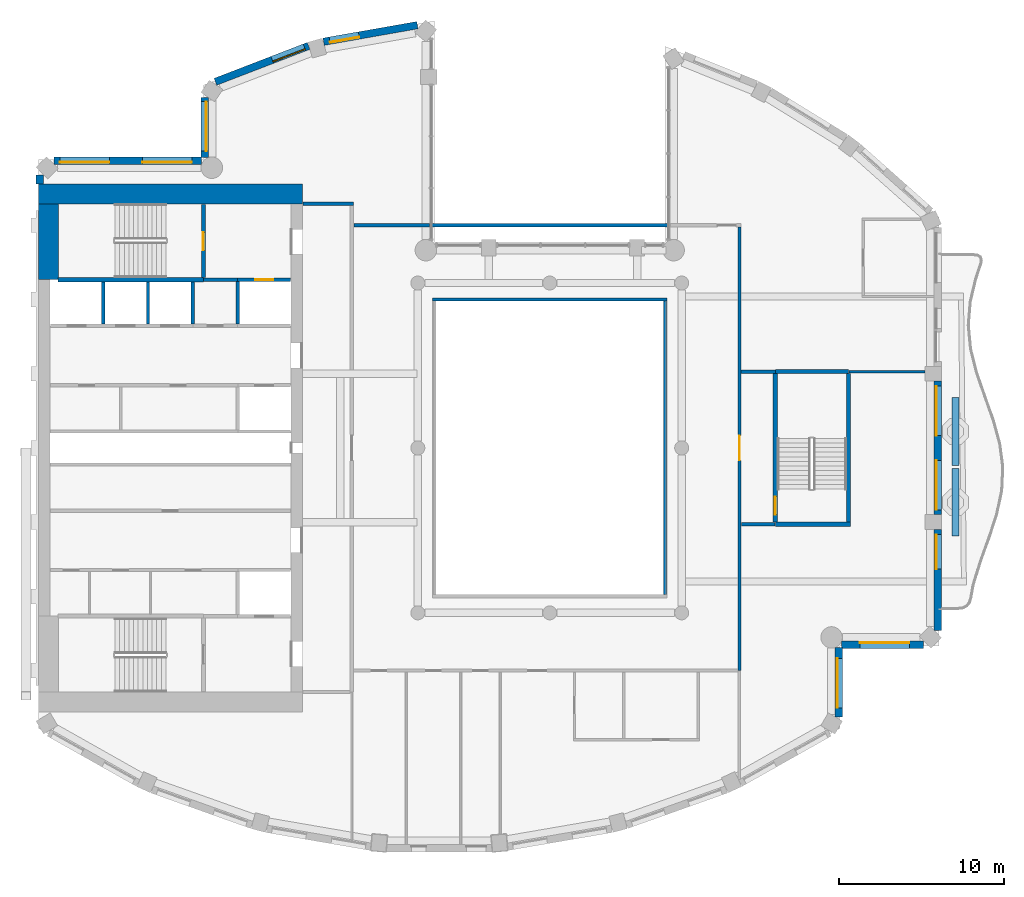
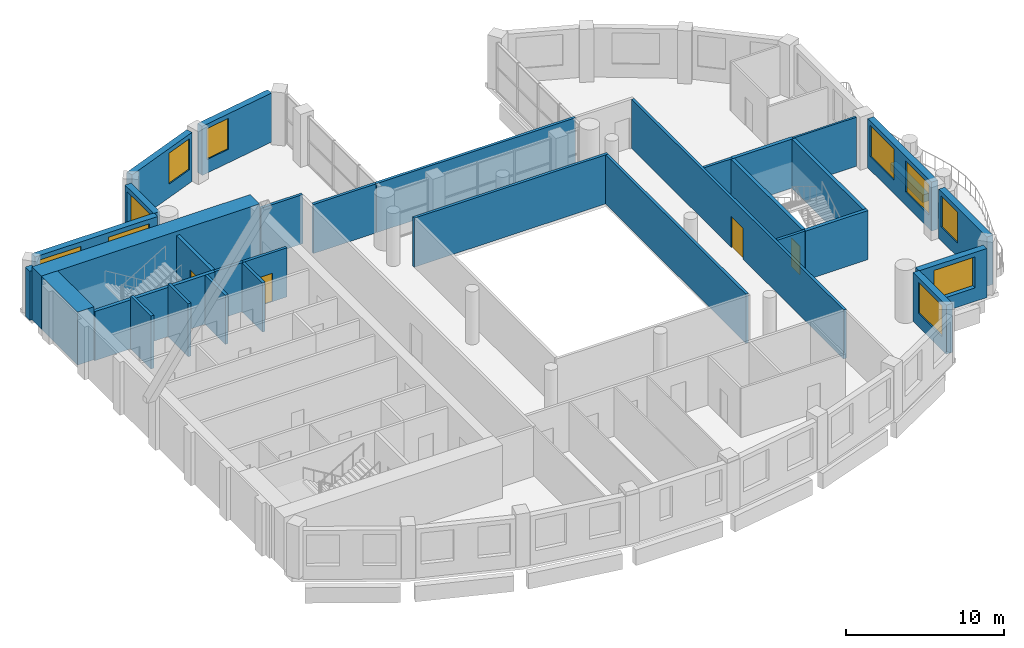
# One storey, part 6 of 15: 34 walls, 10 windows, 4 doors, 14 openings.
"""IFC4 building model written with IfcOpenShell, lengths in metres."""

import ifcopenshell
import ifcopenshell.guid

model = None  # the IFC model being written
_history = None  # IfcOwnerHistory: only IFC2X3 demands one
_inside = {}  # id of a spatial element -> (the spatial element, [elements in it])
_under = {}  # id of a project, library or spatial element -> (it, [spatial elements below it])
_declared = {}  # id of a project -> (the project, [libraries it declares])
_typed = {}  # id of a type object -> (the type object, [elements of that type])
_made_of = {}  # id of a material, layer set ... -> (it, [elements and type objects made of it])


def new_model(schema):
    """Start an empty IFC model of exactly this schema.

    Asked for "IFC4X3", IfcOpenShell would pick the latest addendum, in which some entities
    have other attributes; the version numbers below select the first issue.
    IFC2X3 requires an IfcOwnerHistory on every rooted entity: one is made here for all.
    """
    global model, _history
    if schema == "IFC4X3":
        model = ifcopenshell.file(schema_version=(4, 3, 0, 0))
    else:
        model = ifcopenshell.file(schema=schema)
    _inside.clear()
    _under.clear()
    _declared.clear()
    _typed.clear()
    _made_of.clear()
    _history = None
    if model.schema == "IFC2X3":
        org = make("IfcOrganization", Name="unknown")
        user = make(
            "IfcPersonAndOrganization",
            ThePerson=make("IfcPerson", FamilyName="unknown"),
            TheOrganization=org,
        )
        app = make(
            "IfcApplication",
            ApplicationDeveloper=org,
            Version="unknown",
            ApplicationFullName="unknown",
            ApplicationIdentifier="unknown",
        )
        _history = make(
            "IfcOwnerHistory",
            OwningUser=user,
            OwningApplication=app,
            ChangeAction="ADDED",
            CreationDate=0,
        )
    return model


def make(cls, **values):
    """One entity of the class cls with the attributes given. An attribute that is None is left unset."""
    return model.create_entity(
        cls, **{name: value for name, value in values.items() if value is not None}
    )


def rooted(cls, **values):
    """An entity with a GlobalId (a new one), such as an element, a storey or a relation."""
    return make(cls, GlobalId=ifcopenshell.guid.new(), OwnerHistory=_history, **values)


def si_unit(unit_type, name, prefix=None):
    """IfcSIUnit, for example si_unit("LENGTHUNIT", "METRE", prefix="MILLI")."""
    return make("IfcSIUnit", UnitType=unit_type, Prefix=prefix, Name=name)


def assignment(units):
    """IfcUnitAssignment: the units of a project."""
    return None if units is None else make("IfcUnitAssignment", Units=units)


def point(xyz):
    """IfcCartesianPoint."""
    return None if xyz is None else make("IfcCartesianPoint", Coordinates=xyz)


def direction(xyz):
    """IfcDirection."""
    return None if xyz is None else make("IfcDirection", DirectionRatios=xyz)


def frame(location, z_axis=None, x_axis=None):
    """IfcAxis2Placement3D, a coordinate frame: its origin and axes. An axis left out is left unset."""
    return make(
        "IfcAxis2Placement3D",
        Location=point(location),
        Axis=direction(z_axis),
        RefDirection=direction(x_axis),
    )


def frame_2d(location, x_axis=None):
    """IfcAxis2Placement2D, a coordinate frame in the plane: its origin and x axis."""
    return make(
        "IfcAxis2Placement2D", Location=point(location), RefDirection=direction(x_axis)
    )


def origin():
    """The frame at (0, 0, 0) with its axes left unset."""
    return frame((0.0, 0.0, 0.0))


def place(relative_to, where):
    """IfcLocalPlacement: puts the frame where relative to a parent placement (None: the world)."""
    return make(
        "IfcLocalPlacement", PlacementRelTo=relative_to, RelativePlacement=where
    )


def context(
    kind, dimensions, precision=None, world=None, true_north=None, identifier=None
):
    """IfcGeometricRepresentationContext, for example the 3D "Model" context."""
    return make(
        "IfcGeometricRepresentationContext",
        ContextIdentifier=identifier,
        ContextType=kind,
        CoordinateSpaceDimension=dimensions,
        Precision=precision,
        WorldCoordinateSystem=world,
        TrueNorth=true_north,
    )


def subcontext(parent, identifier, kind, view, scale=None):
    """IfcGeometricRepresentationSubContext, for example "Body" below "Model"."""
    return make(
        "IfcGeometricRepresentationSubContext",
        ContextIdentifier=identifier,
        ContextType=kind,
        ParentContext=parent,
        TargetScale=scale,
        TargetView=view,
    )


def project(units=None, contexts=None):
    """IfcProject with its units and contexts."""
    return rooted(
        "IfcProject",
        Name="project",
        RepresentationContexts=contexts,
        UnitsInContext=assignment(units),
    )


def spatial(cls, under=None, at=None, **own):
    """A site, building, storey or space (cls), placed at a placement, below another one or the project."""
    s = rooted(cls, ObjectPlacement=at, **own)
    if under is not None:
        _under.setdefault(under.id(), (under, []))[1].append(s)
    return s


def profile(cls, at=None, kind="AREA", **sizes):
    """A parametric profile (cls). Its sizes go by their IFC names, for example OverallWidth=200.0."""
    return make(cls, ProfileType=kind, Position=at, **sizes)


def rectangle(**sizes):
    """IfcRectangleProfileDef."""
    return profile("IfcRectangleProfileDef", **sizes)


def extrude(swept, where, along, depth):
    """IfcExtrudedAreaSolid: the profile swept, set in the frame where, extruded along a direction by depth."""
    return make(
        "IfcExtrudedAreaSolid",
        SweptArea=swept,
        Position=where,
        ExtrudedDirection=direction(along),
        Depth=depth,
    )


def shape(context_of_items, identifier, shape_type, items):
    """IfcShapeRepresentation: the items that make up one representation, for example the "Body"."""
    return make(
        "IfcShapeRepresentation",
        ContextOfItems=context_of_items,
        RepresentationIdentifier=identifier,
        RepresentationType=shape_type,
        Items=items,
    )


def material(Name=None, Category=None):
    """IfcMaterial."""
    return make("IfcMaterial", Name=Name, Category=Category)


def layer(
    of_material, thickness, ventilated=None, Name=None, Category=None, Priority=None
):
    """IfcMaterialLayer: one layer of a wall or slab, of a material (None: an air gap)."""
    return make(
        "IfcMaterialLayer",
        Material=of_material,
        LayerThickness=thickness,
        IsVentilated=ventilated,
        Name=Name,
        Category=Category,
        Priority=Priority,
    )


def layer_set(layers, Name=None):
    """IfcMaterialLayerSet."""
    return make("IfcMaterialLayerSet", MaterialLayers=layers, LayerSetName=Name)


def made_of(thing, what):
    """Note that an element or type object is made of a material, layer set ...; save() writes the relation."""
    if what is not None:
        _made_of.setdefault(what.id(), (what, []))[1].append(thing)
    return thing


def type_object(cls, material=None, **own):
    """A type object (cls), such as IfcWallType, which elements share."""
    return made_of(rooted(cls, **own), material)


def element(
    cls,
    number,
    at=None,
    inside=None,
    cuts=None,
    type_object=None,
    material=None,
    context=None,
    identifier="Body",
    shape_type=None,
    held_by="IfcProductDefinitionShape",
    body=None,
    shapes=None,
    **own,
):
    """One element of the class cls, such as IfcWall. Its Tag is "e" and its number.

    at: its placement. inside: the storey or other place that contains it. cuts: it is an
    opening in that element (IfcRelVoidsElement). A single representation is given by context,
    identifier, shape_type and body (its items); several are given by shapes. held_by: the class
    of the entity that holds the representations. save() writes the other relations.
    """
    e = rooted(cls, Tag="e%d" % number, ObjectPlacement=at, **own)
    if body is not None:
        shapes = [shape(context, identifier, shape_type, body)]
    if shapes is not None:
        e.Representation = make(held_by, Representations=shapes)
    if inside is not None:
        _inside.setdefault(inside.id(), (inside, []))[1].append(e)
    if cuts is not None:
        rooted(
            "IfcRelVoidsElement", RelatingBuildingElement=cuts, RelatedOpeningElement=e
        )
    if type_object is not None:
        _typed.setdefault(type_object.id(), (type_object, []))[1].append(e)
    return made_of(e, material)


def fill(opening, filler):
    """IfcRelFillsElement: the door or window that sits in an opening."""
    return rooted(
        "IfcRelFillsElement",
        RelatingOpeningElement=opening,
        RelatedBuildingElement=filler,
    )


def aggregate(whole, parts):
    """IfcRelAggregates: a whole, such as a stair, and the parts it consists of."""
    return rooted("IfcRelAggregates", RelatingObject=whole, RelatedObjects=parts)


def save(model, path):
    """Write the relations noted so far, then the file.

    IfcRelAggregates (storeys below a building ...), IfcRelContainedInSpatialStructure (elements
    in a storey), IfcRelDefinesByType, IfcRelAssociatesMaterial and IfcRelDeclares: one each for
    every whole, place, type object, material and project.
    """
    for whole, parts in _under.values():
        aggregate(whole, parts)
    for where, things in _inside.values():
        rooted(
            "IfcRelContainedInSpatialStructure",
            RelatedElements=things,
            RelatingStructure=where,
        )
    for kind, things in _typed.values():
        rooted("IfcRelDefinesByType", RelatedObjects=things, RelatingType=kind)
    for what, things in _made_of.values():
        rooted("IfcRelAssociatesMaterial", RelatedObjects=things, RelatingMaterial=what)
    for by, libraries in _declared.values():
        rooted("IfcRelDeclares", RelatingContext=by, RelatedDefinitions=libraries)
    model.write(path)


model = new_model("IFC4")

# Units and contexts
model_context = context("Model", 3, precision=1e-05, world=origin(), true_north=direction((0.0, 1.0)))
body_context = subcontext(model_context, "Body", "Model", "MODEL_VIEW")
ifc_project = project(units=[si_unit("LENGTHUNIT", "METRE"), si_unit("AREAUNIT", "SQUARE_METRE"), si_unit("VOLUMEUNIT", "CUBIC_METRE"), si_unit("PLANEANGLEUNIT", "RADIAN"), si_unit("MASSUNIT", "GRAM", prefix="KILO")], contexts=[model_context])

# Site, building, storey
site_placement = place(None, origin())
site = spatial("IfcSite", under=ifc_project, at=site_placement, CompositionType="ELEMENT")
building_placement = place(site_placement, origin())
building = spatial("IfcBuilding", under=site, at=building_placement, Name="Cypress Arch Tower", CompositionType="ELEMENT")
storey_placement = place(building_placement, frame((0.0, 0.0, 259.800048828125)))
storey = spatial("IfcBuildingStorey", under=building, at=storey_placement, Name="L58", CompositionType="ELEMENT", Elevation=259.800048828125)

# Walls
ifc_material_1 = material(Name="Concrete C40/50, waterproofed", Category="concrete")
ifc_layer_1 = layer(ifc_material_1, 0.449951171875)
ifc_layer_set_1 = layer_set([ifc_layer_1], Name="Balcony planter wall PW450")
wall_type_1 = type_object("IfcWallType", Name="Balcony planter wall PW450", PredefinedType="SOLIDWALL", material=ifc_layer_set_1)
for number, where, z_axis, x_axis, name in (
    (1, (25.60009765625, -5.35009765625, 0.0), (0.0, 0.0, 1.0), (0.0, 1.0, 0.0), "Balcony planter wall L58-C17.1"),
    (2, (25.60009765625, -1.050048828125, 0.0), (0.0, 0.0, 1.0), (0.0, 1.0, 0.0), "Balcony planter wall L58-C17.2"),
):
    element("IfcWall", number, at=place(storey_placement, frame(where, z_axis=z_axis, x_axis=x_axis)), inside=storey, type_object=wall_type_1, Name=name, PredefinedType="SOLIDWALL", context=body_context, shape_type="SweptSolid", body=[
        extrude(rectangle(XDim=4.10009765625, YDim=0.449951171875, at=frame_2d((2.050048828125, 0.0))), origin(), (0.0, 0.0, 1.0), 0.599853515625),
    ])

# Wall, opening, window
ifc_material_2 = material(Name="Brick (red buff blend)", Category="masonry")
ifc_layer_2 = layer(ifc_material_2, 0.449951171875)
ifc_layer_set_2 = layer_set([ifc_layer_2], Name="Brick pier and spandrel wall BW450")
wall_type_2 = type_object("IfcWallType", Name="Brick pier and spandrel wall BW450", PredefinedType="SOLIDWALL", material=ifc_layer_set_2)
wall_1_placement = place(storey_placement, frame((-7.028564453125, 25.63232421875, 0.0), z_axis=(0.0, 0.0, 1.0), x_axis=(-0.984797606634, -0.173705710808, 0.0)))
wall_1 = element("IfcWall", 3, at=wall_1_placement, inside=storey, type_object=wall_type_2, Name="Brick wall L58 C03.0", PredefinedType="SOLIDWALL", context=body_context, shape_type="SweptSolid", body=[
    extrude(rectangle(XDim=5.772216796875, YDim=0.449951171875, at=frame_2d((2.88623046875, 0.0))), origin(), (0.0, 0.0, 1.0), 3.800048828125),
])
opening_1_placement = place(wall_1_placement, frame((3.59326171875, 0.0, 1.050048828125)))
opening_1 = element("IfcOpeningElement", 4, at=opening_1_placement, cuts=wall_1, Name="Opening W180O", PredefinedType="OPENING", context=body_context, shape_type="SweptSolid", body=[
    extrude(rectangle(XDim=1.800048828125, YDim=2.39990234375, at=frame_2d((0.89990234375, 1.199951171875))), frame((0.0, 0.23486328125, 0.0), z_axis=(0.0, -1.0, 0.0), x_axis=(1.0, 0.0, 0.0)), (0.0, 0.0, 1.0), 0.469970703125),
])
ifc_material_3 = material(Name="Anodised aluminium, bronze finish, clear low-emissivity double glazing", Category="aluminium")
window_type_1 = type_object("IfcWindowType", Name="Window Office 1800x2400", PartitioningType="SINGLE_PANEL", PredefinedType="WINDOW", material=ifc_material_3)
window_1_placement = place(opening_1_placement, origin())
window_1 = element("IfcWindow", 5, at=window_1_placement, inside=storey, type_object=window_type_1, Name="Window L58 C03.0.2", OverallHeight=2.39990234375, OverallWidth=1.800048828125, PartitioningType="SINGLE_PANEL", PredefinedType="WINDOW", context=body_context, shape_type="SweptSolid", body=[
    extrude(rectangle(XDim=1.800048828125, YDim=2.39990234375, at=frame_2d((0.89990234375, 1.199951171875))), frame((0.0, 0.135009765625, 0.0), z_axis=(0.0, -1.0, 0.0), x_axis=(1.0, 0.0, 0.0)), (0.0, 0.0, 1.0), 0.06005859375),
])
fill(opening_1, window_1)

wall_2_placement = place(storey_placement, frame((-13.6220703125, 24.376953125, 0.0), z_axis=(0.0, 0.0, 1.0), x_axis=(-0.933129259679, -0.359541075164, 0.0)))
wall_2 = element("IfcWall", 6, at=wall_2_placement, inside=storey, type_object=wall_type_2, Name="Brick wall L58 C04.0", PredefinedType="SOLIDWALL", context=body_context, shape_type="SweptSolid", body=[
    extrude(rectangle(XDim=6.05419921875, YDim=0.449951171875, at=frame_2d((3.027099609375, 0.0))), origin(), (0.0, 0.0, 1.0), 3.800048828125),
])
opening_2_placement = place(wall_2_placement, frame((0.260986328125, 0.0, 1.050048828125)))
opening_2 = element("IfcOpeningElement", 7, at=opening_2_placement, cuts=wall_2, Name="Opening W210O", PredefinedType="OPENING", context=body_context, shape_type="SweptSolid", body=[
    extrude(rectangle(XDim=2.10009765625, YDim=2.39990234375, at=frame_2d((1.050048828125, 1.199951171875))), frame((0.0, 0.23486328125, 0.0), z_axis=(0.0, -1.0, 0.0), x_axis=(1.0, 0.0, 0.0)), (0.0, 0.0, 1.0), 0.469970703125),
])
ifc_material_4 = material(Name="Anodised aluminium, bronze finish, clear low-emissivity double glazing", Category="aluminium")
window_type_2 = type_object("IfcWindowType", Name="Window Office 2100x2400", PartitioningType="SINGLE_PANEL", PredefinedType="WINDOW", material=ifc_material_4)
window_2_placement = place(opening_2_placement, origin())
window_2 = element("IfcWindow", 8, at=window_2_placement, inside=storey, type_object=window_type_2, Name="Window L58 C04.0.1", OverallHeight=2.39990234375, OverallWidth=2.10009765625, PartitioningType="SINGLE_PANEL", PredefinedType="WINDOW", context=body_context, shape_type="SweptSolid", body=[
    extrude(rectangle(XDim=2.10009765625, YDim=2.39990234375, at=frame_2d((1.050048828125, 1.199951171875))), frame((0.0, 0.135009765625, 0.0), z_axis=(0.0, -1.0, 0.0), x_axis=(1.0, 0.0, 0.0)), (0.0, 0.0, 1.0), 0.06005859375),
])
fill(opening_2, window_2)

wall_3_placement = place(storey_placement, frame((-19.925048828125, 21.248291015625, 0.0), z_axis=(0.0, 0.0, 1.0), x_axis=(0.0, -1.0, 0.0)))
wall_3 = element("IfcWall", 9, at=wall_3_placement, inside=storey, type_object=wall_type_2, Name="Brick wall L58 C05.0", PredefinedType="SOLIDWALL", context=body_context, shape_type="SweptSolid", body=[
    extrude(rectangle(XDim=3.646728515625, YDim=0.449951171875, at=frame_2d((1.8232421875, 0.0))), origin(), (0.0, 0.0, 1.0), 3.800048828125),
])
opening_3_placement = place(wall_3_placement, frame((0.251220703125, 0.0, 1.050048828125)))
opening_3 = element("IfcOpeningElement", 10, at=opening_3_placement, cuts=wall_3, Name="Opening W300O", PredefinedType="OPENING", context=body_context, shape_type="SweptSolid", body=[
    extrude(rectangle(XDim=3.0, YDim=2.39990234375, at=frame_2d((1.5, 1.199951171875))), frame((0.0, 0.23486328125, 0.0), z_axis=(0.0, -1.0, 0.0), x_axis=(1.0, 0.0, 0.0)), (0.0, 0.0, 1.0), 0.469970703125),
])
ifc_material_5 = material(Name="Anodised aluminium, bronze finish, clear low-emissivity double glazing", Category="aluminium")
window_type_3 = type_object("IfcWindowType", Name="Window Office 3000x2400", PartitioningType="SINGLE_PANEL", PredefinedType="WINDOW", material=ifc_material_5)
window_3_placement = place(opening_3_placement, origin())
window_3 = element("IfcWindow", 11, at=window_3_placement, inside=storey, type_object=window_type_3, Name="Window L58 C05.0.1", OverallHeight=2.39990234375, OverallWidth=3.0, PartitioningType="SINGLE_PANEL", PredefinedType="WINDOW", context=body_context, shape_type="SweptSolid", body=[
    extrude(rectangle(XDim=3.0, YDim=2.39990234375, at=frame_2d((1.5, 1.199951171875))), frame((0.0, 0.135009765625, 0.0), z_axis=(0.0, -1.0, 0.0), x_axis=(1.0, 0.0, 0.0)), (0.0, 0.0, 1.0), 0.06005859375),
])
fill(opening_3, window_3)

# Wall, openings, windows
wall_4_placement = place(storey_placement, frame((-20.1015625, 17.425048828125, 0.0), z_axis=(0.0, 0.0, 1.0), x_axis=(-1.0, 0.0, 0.0)))
wall_4 = element("IfcWall", 12, at=wall_4_placement, inside=storey, type_object=wall_type_2, Name="Brick wall L58 C06.0", PredefinedType="SOLIDWALL", context=body_context, shape_type="SweptSolid", body=[
    extrude(rectangle(XDim=8.962158203125, YDim=0.449951171875, at=frame_2d((4.48095703125, 0.0))), origin(), (0.0, 0.0, 1.0), 3.800048828125),
])
opening_4_placement = place(wall_4_placement, frame((0.598388671875, 0.0, 1.050048828125)))
opening_4 = element("IfcOpeningElement", 13, at=opening_4_placement, cuts=wall_4, Name="Opening W300O", PredefinedType="OPENING", context=body_context, shape_type="SweptSolid", body=[
    extrude(rectangle(XDim=3.0, YDim=2.39990234375, at=frame_2d((1.5, 1.199951171875))), frame((0.0, 0.23486328125, 0.0), z_axis=(0.0, -1.0, 0.0), x_axis=(1.0, 0.0, 0.0)), (0.0, 0.0, 1.0), 0.469970703125),
])
opening_5_placement = place(wall_4_placement, frame((5.598388671875, 0.0, 1.050048828125)))
opening_5 = element("IfcOpeningElement", 14, at=opening_5_placement, cuts=wall_4, Name="Opening W300O", PredefinedType="OPENING", context=body_context, shape_type="SweptSolid", body=[
    extrude(rectangle(XDim=3.0, YDim=2.39990234375, at=frame_2d((1.5, 1.199951171875))), frame((0.0, 0.23486328125, 0.0), z_axis=(0.0, -1.0, 0.0), x_axis=(1.0, 0.0, 0.0)), (0.0, 0.0, 1.0), 0.469970703125),
])
window_4_placement = place(opening_4_placement, origin())
window_4 = element("IfcWindow", 15, at=window_4_placement, inside=storey, type_object=window_type_3, Name="Window L58 C06.0.1", OverallHeight=2.39990234375, OverallWidth=3.0, PartitioningType="SINGLE_PANEL", PredefinedType="WINDOW", context=body_context, shape_type="SweptSolid", body=[
    extrude(rectangle(XDim=3.0, YDim=2.39990234375, at=frame_2d((1.5, 1.199951171875))), frame((0.0, 0.135009765625, 0.0), z_axis=(0.0, -1.0, 0.0), x_axis=(1.0, 0.0, 0.0)), (0.0, 0.0, 1.0), 0.06005859375),
])
fill(opening_4, window_4)
window_5_placement = place(opening_5_placement, origin())
window_5 = element("IfcWindow", 16, at=window_5_placement, inside=storey, type_object=window_type_3, Name="Window L58 C06.0.2", OverallHeight=2.39990234375, OverallWidth=3.0, PartitioningType="SINGLE_PANEL", PredefinedType="WINDOW", context=body_context, shape_type="SweptSolid", body=[
    extrude(rectangle(XDim=3.0, YDim=2.39990234375, at=frame_2d((1.5, 1.199951171875))), frame((0.0, 0.135009765625, 0.0), z_axis=(0.0, -1.0, 0.0), x_axis=(1.0, 0.0, 0.0)), (0.0, 0.0, 1.0), 0.06005859375),
])
fill(opening_5, window_5)

# Wall
wall_5_placement = place(storey_placement, frame((-29.925048828125, 16.563720703125, 0.0), z_axis=(0.0, 0.0, 1.0), x_axis=(0.0, -1.0, 0.0)))
element("IfcWall", 17, at=wall_5_placement, inside=storey, type_object=wall_type_2, Name="Brick wall L58 C07.0", PredefinedType="SOLIDWALL", context=body_context, shape_type="SweptSolid", body=[
    extrude(rectangle(XDim=0.563720703125, YDim=0.449951171875, at=frame_2d((0.28173828125, 0.0))), origin(), (0.0, 0.0, 1.0), 3.800048828125),
])

# Wall, opening, window
wall_6_placement = place(storey_placement, frame((18.52490234375, -16.3037109375, 0.0), z_axis=(0.0, 0.0, 1.0), x_axis=(0.0, 1.0, 0.0)))
wall_6 = element("IfcWall", 18, at=wall_6_placement, inside=storey, type_object=wall_type_2, Name="Brick wall L58 C15.0", PredefinedType="SOLIDWALL", context=body_context, shape_type="SweptSolid", body=[
    extrude(rectangle(XDim=4.2021484375, YDim=0.449951171875, at=frame_2d((2.10107421875, 0.0))), origin(), (0.0, 0.0, 1.0), 3.800048828125),
])
opening_6_placement = place(wall_6_placement, frame((0.541259765625, 0.0, 1.050048828125)))
opening_6 = element("IfcOpeningElement", 19, at=opening_6_placement, cuts=wall_6, Name="Opening W300O", PredefinedType="OPENING", context=body_context, shape_type="SweptSolid", body=[
    extrude(rectangle(XDim=3.0, YDim=2.39990234375, at=frame_2d((1.5, 1.199951171875))), frame((0.0, 0.23486328125, 0.0), z_axis=(0.0, -1.0, 0.0), x_axis=(1.0, 0.0, 0.0)), (0.0, 0.0, 1.0), 0.469970703125),
])
window_6_placement = place(opening_6_placement, origin())
window_6 = element("IfcWindow", 20, at=window_6_placement, inside=storey, type_object=window_type_3, Name="Window L58 C15.0.1", OverallHeight=2.39990234375, OverallWidth=3.0, PartitioningType="SINGLE_PANEL", PredefinedType="WINDOW", context=body_context, shape_type="SweptSolid", body=[
    extrude(rectangle(XDim=3.0, YDim=2.39990234375, at=frame_2d((1.5, 1.199951171875))), frame((0.0, 0.135009765625, 0.0), z_axis=(0.0, -1.0, 0.0), x_axis=(1.0, 0.0, 0.0)), (0.0, 0.0, 1.0), 0.06005859375),
])
fill(opening_6, window_6)

wall_7_placement = place(storey_placement, frame((18.701416015625, -11.925048828125, 0.0), z_axis=(0.0, 0.0, 1.0), x_axis=(1.0, 0.0, 0.0)))
wall_7 = element("IfcWall", 21, at=wall_7_placement, inside=storey, type_object=wall_type_2, Name="Brick wall L58 C16.0", PredefinedType="SOLIDWALL", context=body_context, shape_type="SweptSolid", body=[
    extrude(rectangle(XDim=4.962158203125, YDim=0.449951171875, at=frame_2d((2.48095703125, 0.0))), origin(), (0.0, 0.0, 1.0), 3.800048828125),
])
opening_7_placement = place(wall_7_placement, frame((1.098388671875, 0.0, 1.050048828125)))
opening_7 = element("IfcOpeningElement", 22, at=opening_7_placement, cuts=wall_7, Name="Opening W300O", PredefinedType="OPENING", context=body_context, shape_type="SweptSolid", body=[
    extrude(rectangle(XDim=3.0, YDim=2.39990234375, at=frame_2d((1.5, 1.199951171875))), frame((0.0, 0.23486328125, 0.0), z_axis=(0.0, -1.0, 0.0), x_axis=(1.0, 0.0, 0.0)), (0.0, 0.0, 1.0), 0.469970703125),
])
window_7_placement = place(opening_7_placement, origin())
window_7 = element("IfcWindow", 23, at=window_7_placement, inside=storey, type_object=window_type_3, Name="Window L58 C16.0.1", OverallHeight=2.39990234375, OverallWidth=3.0, PartitioningType="SINGLE_PANEL", PredefinedType="WINDOW", context=body_context, shape_type="SweptSolid", body=[
    extrude(rectangle(XDim=3.0, YDim=2.39990234375, at=frame_2d((1.5, 1.199951171875))), frame((0.0, 0.135009765625, 0.0), z_axis=(0.0, -1.0, 0.0), x_axis=(1.0, 0.0, 0.0)), (0.0, 0.0, 1.0), 0.06005859375),
])
fill(opening_7, window_7)

wall_8_placement = place(storey_placement, frame((24.52490234375, -11.063720703125, 0.0), z_axis=(0.0, 0.0, 1.0), x_axis=(0.0, 1.0, 0.0)))
wall_8 = element("IfcWall", 24, at=wall_8_placement, inside=storey, type_object=wall_type_2, Name="Brick wall L58 C17.0", PredefinedType="SOLIDWALL", context=body_context, shape_type="SweptSolid", body=[
    extrude(rectangle(XDim=6.11376953125, YDim=0.449951171875, at=frame_2d((3.056884765625, 0.0))), origin(), (0.0, 0.0, 1.0), 3.800048828125),
])
opening_8_placement = place(wall_8_placement, frame((3.713623046875, 0.0, 1.050048828125)))
opening_8 = element("IfcOpeningElement", 25, at=opening_8_placement, cuts=wall_8, Name="Opening W210OD", PredefinedType="OPENING", context=body_context, shape_type="SweptSolid", body=[
    extrude(rectangle(XDim=2.10009765625, YDim=2.39990234375, at=frame_2d((1.050048828125, 1.199951171875))), frame((0.0, 0.23486328125, 0.0), z_axis=(0.0, -1.0, 0.0), x_axis=(1.0, 0.0, 0.0)), (0.0, 0.0, 1.0), 0.469970703125),
])
ifc_material_6 = material(Name="Anodised aluminium, bronze finish, laminated low-emissivity double glazing, large-missile impact rated", Category="aluminium")
window_type_4 = type_object("IfcWindowType", Name="Window Office 2100x2400 debris-rated", PartitioningType="SINGLE_PANEL", PredefinedType="WINDOW", material=ifc_material_6)
window_8_placement = place(opening_8_placement, origin())
window_8 = element("IfcWindow", 26, at=window_8_placement, inside=storey, type_object=window_type_4, Name="Window L58 C17.0.2", OverallHeight=2.39990234375, OverallWidth=2.10009765625, PartitioningType="SINGLE_PANEL", PredefinedType="WINDOW", context=body_context, shape_type="SweptSolid", body=[
    extrude(rectangle(XDim=2.10009765625, YDim=2.39990234375, at=frame_2d((1.050048828125, 1.199951171875))), frame((0.0, 0.135009765625, 0.0), z_axis=(0.0, -1.0, 0.0), x_axis=(1.0, 0.0, 0.0)), (0.0, 0.0, 1.0), 0.06005859375),
])
fill(opening_8, window_8)

# Wall, openings, windows
wall_9_placement = place(storey_placement, frame((24.52490234375, -4.050048828125, 0.0), z_axis=(0.0, 0.0, 1.0), x_axis=(0.0, 1.0, 0.0)))
wall_9 = element("IfcWall", 27, at=wall_9_placement, inside=storey, type_object=wall_type_2, Name="Brick wall L58 C17.1", PredefinedType="SOLIDWALL", context=body_context, shape_type="SweptSolid", body=[
    extrude(rectangle(XDim=8.10009765625, YDim=0.449951171875, at=frame_2d((4.050048828125, 0.0))), origin(), (0.0, 0.0, 1.0), 3.800048828125),
])
opening_9_placement = place(wall_9_placement, frame((0.300048828125, 0.0, 1.050048828125)))
opening_9 = element("IfcOpeningElement", 28, at=opening_9_placement, cuts=wall_9, Name="Opening W300OD", PredefinedType="OPENING", context=body_context, shape_type="SweptSolid", body=[
    extrude(rectangle(XDim=3.0, YDim=2.39990234375, at=frame_2d((1.5, 1.199951171875))), frame((0.0, 0.23486328125, 0.0), z_axis=(0.0, -1.0, 0.0), x_axis=(1.0, 0.0, 0.0)), (0.0, 0.0, 1.0), 0.469970703125),
])
opening_10_placement = place(wall_9_placement, frame((4.800048828125, 0.0, 1.050048828125)))
opening_10 = element("IfcOpeningElement", 29, at=opening_10_placement, cuts=wall_9, Name="Opening W300OD", PredefinedType="OPENING", context=body_context, shape_type="SweptSolid", body=[
    extrude(rectangle(XDim=3.0, YDim=2.39990234375, at=frame_2d((1.5, 1.199951171875))), frame((0.0, 0.23486328125, 0.0), z_axis=(0.0, -1.0, 0.0), x_axis=(1.0, 0.0, 0.0)), (0.0, 0.0, 1.0), 0.469970703125),
])
ifc_material_7 = material(Name="Anodised aluminium, bronze finish, laminated low-emissivity double glazing, large-missile impact rated", Category="aluminium")
window_type_5 = type_object("IfcWindowType", Name="Window Office 3000x2400 debris-rated", PartitioningType="SINGLE_PANEL", PredefinedType="WINDOW", material=ifc_material_7)
window_9_placement = place(opening_9_placement, origin())
window_9 = element("IfcWindow", 30, at=window_9_placement, inside=storey, type_object=window_type_5, Name="Window L58 C17.1.1", OverallHeight=2.39990234375, OverallWidth=3.0, PartitioningType="SINGLE_PANEL", PredefinedType="WINDOW", context=body_context, shape_type="SweptSolid", body=[
    extrude(rectangle(XDim=3.0, YDim=2.39990234375, at=frame_2d((1.5, 1.199951171875))), frame((0.0, 0.135009765625, 0.0), z_axis=(0.0, -1.0, 0.0), x_axis=(1.0, 0.0, 0.0)), (0.0, 0.0, 1.0), 0.06005859375),
])
fill(opening_9, window_9)
window_10_placement = place(opening_10_placement, origin())
window_10 = element("IfcWindow", 31, at=window_10_placement, inside=storey, type_object=window_type_5, Name="Window L58 C17.1.2", OverallHeight=2.39990234375, OverallWidth=3.0, PartitioningType="SINGLE_PANEL", PredefinedType="WINDOW", context=body_context, shape_type="SweptSolid", body=[
    extrude(rectangle(XDim=3.0, YDim=2.39990234375, at=frame_2d((1.5, 1.199951171875))), frame((0.0, 0.135009765625, 0.0), z_axis=(0.0, -1.0, 0.0), x_axis=(1.0, 0.0, 0.0)), (0.0, 0.0, 1.0), 0.06005859375),
])
fill(opening_10, window_10)

# Walls
ifc_material_8 = material(Name="Concrete C60/75", Category="concrete")
ifc_layer_3 = layer(ifc_material_8, 1.199951171875)
ifc_layer_set_3 = layer_set([ifc_layer_3], Name="Core wall CW1200 C60/75")
wall_type_3 = type_object("IfcWallType", Name="Core wall CW1200 C60/75", PredefinedType="SHEAR", material=ifc_layer_set_3)
wall_10_placement = place(storey_placement, frame((-30.0, 15.39990234375, 0.0), z_axis=(0.0, 0.0, 1.0), x_axis=(1.0, 0.0, 0.0)))
element("IfcWall", 32, at=wall_10_placement, inside=storey, type_object=wall_type_3, Name="Core wall", PredefinedType="SHEAR", context=body_context, shape_type="SweptSolid", body=[
    extrude(rectangle(XDim=16.0, YDim=1.199951171875, at=frame_2d((8.0, 0.0))), origin(), (0.0, 0.0, 1.0), 4.099853515625),
])
wall_11_placement = place(storey_placement, frame((-29.39990234375, 10.199951171875, 0.0), z_axis=(0.0, 0.0, 1.0), x_axis=(0.0, 1.0, 0.0)))
element("IfcWall", 33, at=wall_11_placement, inside=storey, type_object=wall_type_3, Name="Core wall", PredefinedType="SHEAR", context=body_context, shape_type="SweptSolid", body=[
    extrude(rectangle(XDim=4.60009765625, YDim=1.199951171875, at=frame_2d((2.300048828125, 0.0))), origin(), (0.0, 0.0, 1.0), 4.099853515625),
])
ifc_material_9 = material(Name="Concrete blockwork, plastered, rated", Category="masonry")
ifc_layer_4 = layer(ifc_material_9, 0.199951171875)
ifc_layer_set_4 = layer_set([ifc_layer_4], Name="Corridor wall FW200")
wall_type_4 = type_object("IfcWallType", Name="Corridor wall FW200", PredefinedType="PARTITIONING", material=ifc_layer_set_4)
wall_12_placement = place(storey_placement, frame((-20.0, 10.199951171875, 0.0), z_axis=(0.0, 0.0, 1.0), x_axis=(1.0, 0.0, 0.0)))
element("IfcWall", 34, at=wall_12_placement, inside=storey, type_object=wall_type_4, Name="Corridor wall", PredefinedType="PARTITIONING", context=body_context, shape_type="SweptSolid", body=[
    extrude(rectangle(XDim=2.080078125, YDim=0.199951171875, at=frame_2d((1.0400390625, 0.0))), origin(), (0.0, 0.0, 1.0), 3.800048828125),
])
wall_13_placement = place(storey_placement, frame((-13.969970703125, 14.800048828125, 0.0), z_axis=(0.0, 0.0, 1.0), x_axis=(1.0, 0.0, 0.0)))
element("IfcWall", 35, at=wall_13_placement, inside=storey, type_object=wall_type_4, Name="Corridor wall", PredefinedType="PARTITIONING", context=body_context, shape_type="SweptSolid", body=[
    extrude(rectangle(XDim=3.070068359375, YDim=0.199951171875, at=frame_2d((1.53515625, 0.0))), origin(), (0.0, 0.0, 1.0), 3.800048828125),
])
wall_14_placement = place(storey_placement, frame((-10.8798828125, 13.5, 0.0), z_axis=(0.0, 0.0, 1.0), x_axis=(1.0, 0.0, 0.0)))
element("IfcWall", 36, at=wall_14_placement, inside=storey, type_object=wall_type_4, Name="Corridor wall", PredefinedType="PARTITIONING", context=body_context, shape_type="SweptSolid", body=[
    extrude(rectangle(XDim=4.579833984375, YDim=0.199951171875, at=frame_2d((2.2900390625, 0.0))), origin(), (0.0, 0.0, 1.0), 3.800048828125),
])
wall_15_placement = place(storey_placement, frame((-6.27001953125, 13.5, 0.0), z_axis=(0.0, 0.0, 1.0), x_axis=(1.0, 0.0, 0.0)))
element("IfcWall", 37, at=wall_15_placement, inside=storey, type_object=wall_type_4, Name="Corridor wall", PredefinedType="PARTITIONING", context=body_context, shape_type="SweptSolid", body=[
    extrude(rectangle(XDim=14.570068359375, YDim=0.199951171875, at=frame_2d((7.28515625, 0.0))), origin(), (0.0, 0.0, 1.0), 3.800048828125),
])
wall_16_placement = place(storey_placement, frame((-6.10009765625, 9.0, 0.0), z_axis=(0.0, 0.0, 1.0), x_axis=(1.0, 0.0, 0.0)))
element("IfcWall", 38, at=wall_16_placement, inside=storey, type_object=wall_type_4, Name="Corridor wall", PredefinedType="PARTITIONING", context=body_context, shape_type="SweptSolid", body=[
    extrude(rectangle(XDim=14.2001953125, YDim=0.199951171875, at=frame_2d((7.10009765625, 0.0))), origin(), (0.0, 0.0, 1.0), 3.800048828125),
])
wall_17_placement = place(storey_placement, frame((8.0, -8.89990234375, 0.0), z_axis=(0.0, 0.0, 1.0), x_axis=(0.0, 1.0, 0.0)))
element("IfcWall", 39, at=wall_17_placement, inside=storey, type_object=wall_type_4, Name="Corridor wall", PredefinedType="PARTITIONING", context=body_context, shape_type="SweptSolid", body=[
    extrude(rectangle(XDim=17.7998046875, YDim=0.199951171875, at=frame_2d((8.89990234375, 0.0))), origin(), (0.0, 0.0, 1.0), 3.800048828125),
])

# Wall, opening, door
wall_18_placement = place(storey_placement, frame((12.5, -13.5, 0.0), z_axis=(0.0, 0.0, 1.0), x_axis=(0.0, 1.0, 0.0)))
wall_18 = element("IfcWall", 40, at=wall_18_placement, inside=storey, type_object=wall_type_4, Name="Corridor wall", PredefinedType="PARTITIONING", context=body_context, shape_type="SweptSolid", body=[
    extrude(rectangle(XDim=26.89990234375, YDim=0.199951171875, at=frame_2d((13.449951171875, 0.0))), origin(), (0.0, 0.0, 1.0), 3.800048828125),
])
opening_11_placement = place(wall_18_placement, frame((12.75, 0.0, 0.0)))
opening_11 = element("IfcOpeningElement", 41, at=opening_11_placement, cuts=wall_18, Name="Opening D07", PredefinedType="OPENING", context=body_context, shape_type="SweptSolid", body=[
    extrude(rectangle(XDim=1.5, YDim=2.39990234375, at=frame_2d((0.75, 1.199951171875))), frame((0.0, 0.10986328125, 0.0), z_axis=(0.0, -1.0, 0.0), x_axis=(1.0, 0.0, 0.0)), (0.0, 0.0, 1.0), 0.219970703125),
])
ifc_material_10 = material(Name="Steel framed glazed door, fire resisting", Category="steel")
door_type_1 = type_object("IfcDoorType", Name="Lobby door D07 1500x2400", OperationType="DOUBLE_DOOR_SINGLE_SWING", PredefinedType="DOOR", material=ifc_material_10)
door_1_placement = place(opening_11_placement, origin())
door_1 = element("IfcDoor", 42, at=door_1_placement, inside=storey, type_object=door_type_1, Name="Lobby door", OperationType="DOUBLE_DOOR_SINGLE_SWING", OverallHeight=2.39990234375, OverallWidth=1.5, PredefinedType="DOOR", context=body_context, shape_type="SweptSolid", body=[
    extrude(rectangle(XDim=1.5, YDim=2.39990234375, at=frame_2d((0.75, 1.199951171875))), frame((0.0, 0.02490234375, 0.0), z_axis=(0.0, -1.0, 0.0), x_axis=(1.0, 0.0, 0.0)), (0.0, 0.0, 1.0), 0.050048828125),
])
fill(opening_11, door_1)

# Walls
wall_19_placement = place(storey_placement, frame((12.60009765625, 4.625, 0.0), z_axis=(0.0, 0.0, 1.0), x_axis=(1.0, 0.0, 0.0)))
element("IfcWall", 43, at=wall_19_placement, inside=storey, type_object=wall_type_4, Name="Corridor wall", PredefinedType="PARTITIONING", context=body_context, shape_type="SweptSolid", body=[
    extrude(rectangle(XDim=2.074951171875, YDim=0.199951171875, at=frame_2d((1.03759765625, 0.0))), origin(), (0.0, 0.0, 1.0), 3.800048828125),
])
wall_20_placement = place(storey_placement, frame((12.6201171875, -4.625, 0.0), z_axis=(0.0, 0.0, 1.0), x_axis=(1.0, 0.0, 0.0)))
element("IfcWall", 44, at=wall_20_placement, inside=storey, type_object=wall_type_4, Name="Corridor wall", PredefinedType="PARTITIONING", context=body_context, shape_type="SweptSolid", body=[
    extrude(rectangle(XDim=2.034912109375, YDim=0.199951171875, at=frame_2d((1.017578125, 0.0))), origin(), (0.0, 0.0, 1.0), 3.800048828125),
])
ifc_material_11 = material(Name="Blockwork, plastered both sides", Category="masonry")
ifc_layer_5 = layer(ifc_material_11, 0.14990234375)
ifc_layer_set_5 = layer_set([ifc_layer_5], Name="Partition PW150")
wall_type_5 = type_object("IfcWallType", Name="Partition PW150", PredefinedType="PARTITIONING", material=ifc_layer_set_5)
wall_21_placement = place(storey_placement, frame((19.14501953125, 4.625, 0.0), z_axis=(0.0, 0.0, 1.0), x_axis=(1.0, 0.0, 0.0)))
element("IfcWall", 45, at=wall_21_placement, inside=storey, type_object=wall_type_5, Name="Partition", PredefinedType="PARTITIONING", context=body_context, shape_type="SweptSolid", body=[
    extrude(rectangle(XDim=4.60498046875, YDim=0.14990234375, at=frame_2d((2.302490234375, 0.0))), origin(), (0.0, 0.0, 1.0), 3.800048828125),
])
ifc_material_12 = material(Name="Concrete C50/60", Category="concrete")
ifc_layer_6 = layer(ifc_material_12, 0.199951171875)
ifc_layer_set_6 = layer_set([ifc_layer_6], Name="Shaft wall SH200")
wall_type_6 = type_object("IfcWallType", Name="Shaft wall SH200", PredefinedType="SHEAR", material=ifc_layer_set_6)
for number, where, z_axis, x_axis, name in (
    (46, (-26.080078125, 7.5, 0.0), (0.0, 0.0, 1.0), (0.0, 1.0, 0.0), "Shaft wall"),
    (47, (-23.360107421875, 7.5, 0.0), (0.0, 0.0, 1.0), (0.0, 1.0, 0.0), "Shaft wall"),
):
    element("IfcWall", number, at=place(storey_placement, frame(where, z_axis=z_axis, x_axis=x_axis)), inside=storey, type_object=wall_type_6, Name=name, PredefinedType="SHEAR", context=body_context, shape_type="SweptSolid", body=[
        extrude(rectangle(XDim=2.574951171875, YDim=0.199951171875, at=frame_2d((1.28759765625, 0.0))), origin(), (0.0, 0.0, 1.0), 4.099853515625),
    ])
wall_22_placement = place(storey_placement, frame((-20.639892578125, 7.5, 0.0), z_axis=(0.0, 0.0, 1.0), x_axis=(0.0, 1.0, 0.0)))
element("IfcWall", 48, at=wall_22_placement, inside=storey, type_object=wall_type_6, Name="Shaft wall", PredefinedType="SHEAR", context=body_context, shape_type="SweptSolid", body=[
    extrude(rectangle(XDim=2.574951171875, YDim=0.199951171875, at=frame_2d((1.28759765625, 0.0))), origin(), (0.0, 0.0, 1.0), 3.800048828125),
])
wall_23_placement = place(storey_placement, frame((-17.919921875, 7.5, 0.0), z_axis=(0.0, 0.0, 1.0), x_axis=(0.0, 1.0, 0.0)))
element("IfcWall", 49, at=wall_23_placement, inside=storey, type_object=wall_type_6, Name="Shaft wall", PredefinedType="SHEAR", context=body_context, shape_type="SweptSolid", body=[
    extrude(rectangle(XDim=2.60009765625, YDim=0.199951171875, at=frame_2d((1.300048828125, 0.0))), origin(), (0.0, 0.0, 1.0), 3.800048828125),
])

# Wall, opening, door
wall_24_placement = place(storey_placement, frame((-17.919921875, 10.199951171875, 0.0), z_axis=(0.0, 0.0, 1.0), x_axis=(1.0, 0.0, 0.0)))
wall_24 = element("IfcWall", 50, at=wall_24_placement, inside=storey, type_object=wall_type_6, Name="Shaft wall", PredefinedType="SHEAR", context=body_context, shape_type="SweptSolid", body=[
    extrude(rectangle(XDim=3.18994140625, YDim=0.199951171875, at=frame_2d((1.594970703125, 0.0))), origin(), (0.0, 0.0, 1.0), 3.800048828125),
])
opening_12_placement = place(wall_24_placement, frame((1.050048828125, 0.0, 0.0)))
opening_12 = element("IfcOpeningElement", 51, at=opening_12_placement, cuts=wall_24, Name="Opening LD-FL2", PredefinedType="OPENING", context=body_context, shape_type="SweptSolid", body=[
    extrude(rectangle(XDim=1.10009765625, YDim=2.199951171875, at=frame_2d((0.550048828125, 1.10009765625))), frame((0.0, 0.10986328125, 0.0), z_axis=(0.0, -1.0, 0.0), x_axis=(1.0, 0.0, 0.0)), (0.0, 0.0, 1.0), 0.219970703125),
])
ifc_material_13 = material(Name="Stainless steel centre-opening landing door, rated", Category="steel")
door_type_2 = type_object("IfcDoorType", Name="Lift landing door LD 1100x2200", OperationType="DOUBLE_DOOR_SLIDING", PredefinedType="DOOR", material=ifc_material_13)
door_2_placement = place(opening_12_placement, origin())
door_2 = element("IfcDoor", 52, at=door_2_placement, inside=storey, type_object=door_type_2, Name="Lift landing doors FL2", OperationType="DOUBLE_DOOR_SLIDING", OverallHeight=2.199951171875, OverallWidth=1.10009765625, PredefinedType="DOOR", context=body_context, shape_type="SweptSolid", body=[
    extrude(rectangle(XDim=1.10009765625, YDim=2.199951171875, at=frame_2d((0.550048828125, 1.10009765625))), frame((0.0, 0.02490234375, 0.0), z_axis=(0.0, -1.0, 0.0), x_axis=(1.0, 0.0, 0.0)), (0.0, 0.0, 1.0), 0.050048828125),
])
fill(opening_12, door_2)

# Wall
ifc_material_14 = material(Name="Concrete C50/60", Category="concrete")
ifc_layer_7 = layer(ifc_material_14, 0.25)
ifc_layer_set_7 = layer_set([ifc_layer_7], Name="Stair enclosure wall SW250")
wall_type_7 = type_object("IfcWallType", Name="Stair enclosure wall SW250", PredefinedType="SHEAR", material=ifc_layer_set_7)
wall_25_placement = place(storey_placement, frame((-28.81005859375, 10.199951171875, 0.0), z_axis=(0.0, 0.0, 1.0), x_axis=(1.0, 0.0, 0.0)))
element("IfcWall", 53, at=wall_25_placement, inside=storey, type_object=wall_type_7, Name="Stair enclosure wall", PredefinedType="SHEAR", context=body_context, shape_type="SweptSolid", body=[
    extrude(rectangle(XDim=8.81005859375, YDim=0.25, at=frame_2d((4.405029296875, 0.0))), origin(), (0.0, 0.0, 1.0), 3.800048828125),
])

# Wall, opening, door
wall_26_placement = place(storey_placement, frame((-20.0, 10.324951171875, 0.0), z_axis=(0.0, 0.0, 1.0), x_axis=(0.0, 1.0, 0.0)))
wall_26 = element("IfcWall", 54, at=wall_26_placement, inside=storey, type_object=wall_type_7, Name="Stair enclosure wall", PredefinedType="SHEAR", context=body_context, shape_type="SweptSolid", body=[
    extrude(rectangle(XDim=4.445068359375, YDim=0.25, at=frame_2d((2.22265625, 0.0))), origin(), (0.0, 0.0, 1.0), 3.800048828125),
])
opening_13_placement = place(wall_26_placement, frame((1.64990234375, 0.0, 0.0)))
opening_13 = element("IfcOpeningElement", 55, at=opening_13_placement, cuts=wall_26, Name="Opening D06", PredefinedType="OPENING", context=body_context, shape_type="SweptSolid", body=[
    extrude(rectangle(XDim=1.10009765625, YDim=2.199951171875, at=frame_2d((0.550048828125, 1.10009765625))), frame((0.0, 0.135009765625, 0.0), z_axis=(0.0, -1.0, 0.0), x_axis=(1.0, 0.0, 0.0)), (0.0, 0.0, 1.0), 0.27001953125),
])
ifc_material_15 = material(Name="Steel door, fire resisting, panic bar", Category="steel")
door_type_3 = type_object("IfcDoorType", Name="Stair door D06 1100x2200", OperationType="SINGLE_SWING_LEFT", PredefinedType="DOOR", material=ifc_material_15)
door_3_placement = place(opening_13_placement, origin())
door_3 = element("IfcDoor", 56, at=door_3_placement, inside=storey, type_object=door_type_3, Name="Stair door", OperationType="SINGLE_SWING_LEFT", OverallHeight=2.199951171875, OverallWidth=1.10009765625, PredefinedType="DOOR", context=body_context, shape_type="SweptSolid", body=[
    extrude(rectangle(XDim=1.10009765625, YDim=2.199951171875, at=frame_2d((0.550048828125, 1.10009765625))), frame((0.0, 0.02490234375, 0.0), z_axis=(0.0, -1.0, 0.0), x_axis=(1.0, 0.0, 0.0)), (0.0, 0.0, 1.0), 0.050048828125),
])
fill(opening_13, door_3)

wall_27_placement = place(storey_placement, frame((14.675048828125, -4.5, 0.0), z_axis=(0.0, 0.0, 1.0), x_axis=(0.0, 1.0, 0.0)))
wall_27 = element("IfcWall", 57, at=wall_27_placement, inside=storey, type_object=wall_type_7, Name="Stair enclosure wall", PredefinedType="SHEAR", context=body_context, shape_type="SweptSolid", body=[
    extrude(rectangle(XDim=9.0, YDim=0.25, at=frame_2d((4.5, 0.0))), origin(), (0.0, 0.0, 1.0), 3.800048828125),
])
opening_14_placement = place(wall_27_placement, frame((0.449951171875, 0.0, 0.0)))
opening_14 = element("IfcOpeningElement", 58, at=opening_14_placement, cuts=wall_27, Name="Opening D06", PredefinedType="OPENING", context=body_context, shape_type="SweptSolid", body=[
    extrude(rectangle(XDim=1.10009765625, YDim=2.199951171875, at=frame_2d((0.550048828125, 1.10009765625))), frame((0.0, 0.135009765625, 0.0), z_axis=(0.0, -1.0, 0.0), x_axis=(1.0, 0.0, 0.0)), (0.0, 0.0, 1.0), 0.27001953125),
])
door_4_placement = place(opening_14_placement, origin())
door_4 = element("IfcDoor", 59, at=door_4_placement, inside=storey, type_object=door_type_3, Name="Stair door", OperationType="SINGLE_SWING_RIGHT", OverallHeight=2.199951171875, OverallWidth=1.10009765625, PredefinedType="DOOR", context=body_context, shape_type="SweptSolid", body=[
    extrude(rectangle(XDim=1.10009765625, YDim=2.199951171875, at=frame_2d((0.550048828125, 1.10009765625))), frame((0.0, 0.02490234375, 0.0), z_axis=(0.0, -1.0, 0.0), x_axis=(1.0, 0.0, 0.0)), (0.0, 0.0, 1.0), 0.050048828125),
])
fill(opening_14, door_4)

# Walls
wall_28_placement = place(storey_placement, frame((14.675048828125, -4.625, 0.0), z_axis=(0.0, 0.0, 1.0), x_axis=(1.0, 0.0, 0.0)))
element("IfcWall", 60, at=wall_28_placement, inside=storey, type_object=wall_type_7, Name="Stair enclosure wall", PredefinedType="SHEAR", context=body_context, shape_type="SweptSolid", body=[
    extrude(rectangle(XDim=4.574951171875, YDim=0.25, at=frame_2d((2.28759765625, 0.0))), origin(), (0.0, 0.0, 1.0), 3.800048828125),
])
wall_29_placement = place(storey_placement, frame((14.675048828125, 4.625, 0.0), z_axis=(0.0, 0.0, 1.0), x_axis=(1.0, 0.0, 0.0)))
element("IfcWall", 61, at=wall_29_placement, inside=storey, type_object=wall_type_7, Name="Stair enclosure wall", PredefinedType="SHEAR", context=body_context, shape_type="SweptSolid", body=[
    extrude(rectangle(XDim=4.449951171875, YDim=0.25, at=frame_2d((2.22509765625, 0.0))), origin(), (0.0, 0.0, 1.0), 3.800048828125),
])
wall_30_placement = place(storey_placement, frame((19.125, -4.5, 0.0), z_axis=(0.0, 0.0, 1.0), x_axis=(0.0, 1.0, 0.0)))
element("IfcWall", 62, at=wall_30_placement, inside=storey, type_object=wall_type_7, Name="Stair enclosure wall", PredefinedType="SHEAR", context=body_context, shape_type="SweptSolid", body=[
    extrude(rectangle(XDim=9.0, YDim=0.25, at=frame_2d((4.5, 0.0))), origin(), (0.0, 0.0, 1.0), 3.800048828125),
])

save(model, "model.ifc")
